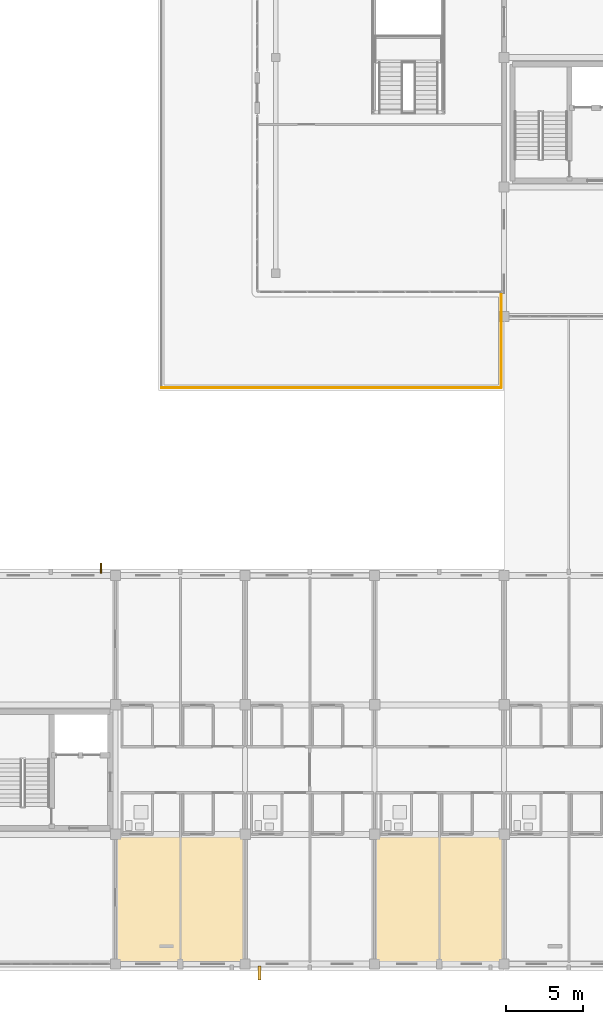
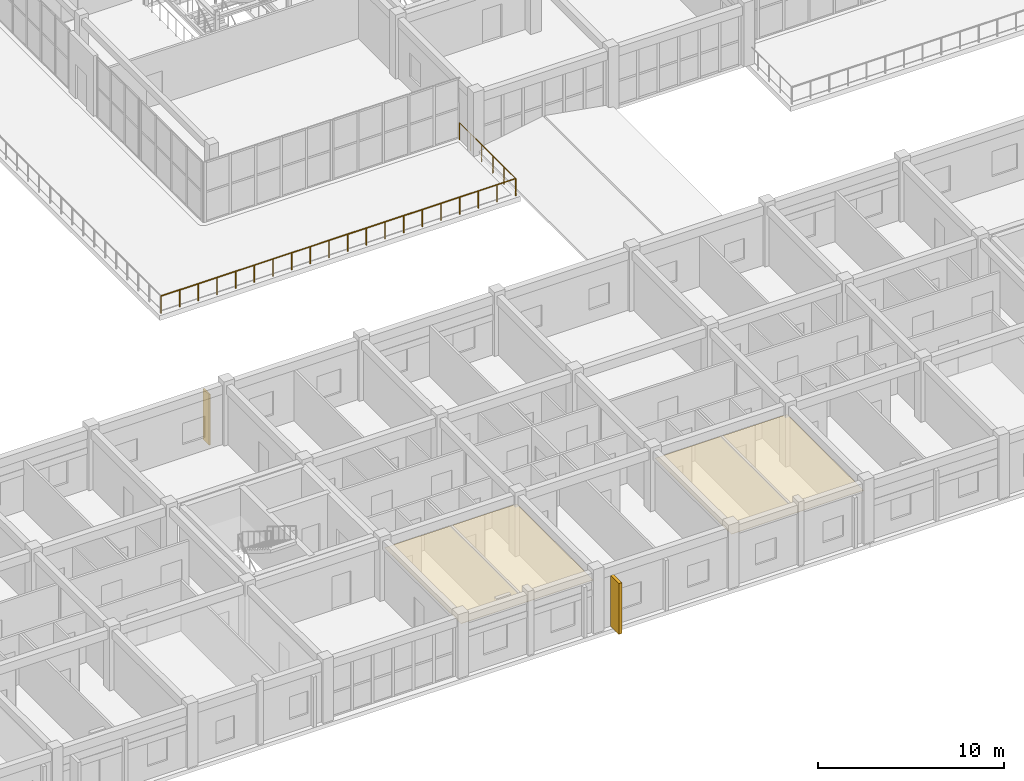
# One storey, part 79 of 90: 2 coverings, 2 railings, 2 shading devices.
"""IFC4 building model written with IfcOpenShell, lengths in metres."""

from ifc_helpers import new_model, si_unit, direction, frame, origin, origin_2d, place, context, subcontext, project, spatial, polyline, rectangle, circle, outline, extrude, material, layer, layer_set, type_object, element, save


model = new_model("IFC4")

# Units and contexts
model_context = context("Model", 3, precision=1e-05, world=origin(), true_north=direction((0.0, 1.0)))
body_context = subcontext(model_context, "Body", "Model", "MODEL_VIEW")
ifc_project = project(units=[si_unit("LENGTHUNIT", "METRE"), si_unit("AREAUNIT", "SQUARE_METRE"), si_unit("VOLUMEUNIT", "CUBIC_METRE"), si_unit("PLANEANGLEUNIT", "RADIAN"), si_unit("MASSUNIT", "GRAM", prefix="KILO")], contexts=[model_context])

# Site, building, storey
site_placement = place(None, origin())
site = spatial("IfcSite", under=ifc_project, at=site_placement, CompositionType="ELEMENT")
building_placement = place(site_placement, origin())
building = spatial("IfcBuilding", under=site, at=building_placement, Name="Trelvath General Hospital", CompositionType="ELEMENT")
storey_placement = place(building_placement, frame((0.0, 0.0, 20.39990234375)))
storey = spatial("IfcBuildingStorey", under=building, at=storey_placement, Name="L05", CompositionType="ELEMENT", Elevation=20.39990234375)

# Shading device
ifc_material_1 = material(Name="Precast concrete C40/50", Category="concrete")
shading_device_type_1 = type_object("IfcShadingDeviceType", Name="BriseSoleil PrecastFin900", PredefinedType="JALOUSIE", material=ifc_material_1)
shading_device_1_placement = place(storey_placement, frame((59.74072265625, -0.590087890625, 0.0), z_axis=(0.0, 0.0, 1.0), x_axis=(0.0, -1.0, 0.0)))
element("IfcShadingDevice", 1, at=shading_device_1_placement, inside=storey, type_object=shading_device_type_1, Name="Solar Brise-Soleil Screen L05-84", PredefinedType="JALOUSIE", context=body_context, shape_type="SweptSolid", body=[
    extrude(rectangle(XDim=0.89990234375, YDim=0.179931640625, at=origin_2d()), origin(), (0.0, 0.0, 1.0), 3.340087890625),
])

# Coverings
ifc_material_2 = material(Name="Hygienic acoustic ceiling tile")
ifc_layer = layer(ifc_material_2, 0.02490234375)
ifc_layer_set = layer_set([ifc_layer], Name="Hygienic acoustic ceiling tile")
covering_type = type_object("IfcCoveringType", Name="Ceiling ClinicalAcoustic", PredefinedType="CEILING", material=ifc_layer_set)
covering_1_placement = place(storey_placement, frame((0.0, 0.0, 3.2001953125)))
element("IfcCovering", 2, at=covering_1_placement, inside=storey, type_object=covering_type, Name="Clinical Acoustic Ceiling L05-62", PredefinedType="CEILING", context=body_context, shape_type="SweptSolid", body=[
    extrude(outline(polyline([(50.5, 0.10009765625), (58.699951171875, 0.10009765625), (58.699951171875, 8.320068359375), (50.5, 8.320068359375), (50.5, 0.10009765625)])), origin(), (0.0, 0.0, 1.0), 0.02490234375),
])
covering_2_placement = place(storey_placement, frame((0.0, 0.0, 3.2001953125)))
element("IfcCovering", 3, at=covering_2_placement, inside=storey, type_object=covering_type, Name="Clinical Acoustic Ceiling L05-63", PredefinedType="CEILING", context=body_context, shape_type="SweptSolid", body=[
    extrude(outline(polyline([(67.300048828125, 0.10009765625), (75.5, 0.10009765625), (75.5, 8.320068359375), (67.300048828125, 8.320068359375), (67.300048828125, 0.10009765625)])), origin(), (0.0, 0.0, 1.0), 0.02490234375),
])

# Railings
ifc_material_3 = material(Name="Architectural painted steel", Category="steel")
railing_type = type_object("IfcRailingType", Name="Guardrail Terrace1150", PredefinedType="GUARDRAIL", material=ifc_material_3)
railing_1_placement = place(storey_placement, frame((53.3798828125, 37.3798828125, 0.0)))
element("IfcRailing", 4, at=railing_1_placement, inside=storey, type_object=railing_type, Name="Cube Terrace Guardrail TERR-CW-U5 1 29", PredefinedType="GUARDRAIL", context=body_context, shape_type="SweptSolid", body=[
    extrude(circle(Radius=0.02392578125, at=origin_2d()), frame((0.0, 0.0, 1.1259765625), z_axis=(1.0, 0.0, 0.0), x_axis=(0.0, 1.0, 0.0)), (0.0, 0.0, 1.0), 22.0400390625),
    extrude(circle(Radius=0.02099609375, at=origin_2d()), origin(), (0.0, 0.0, 1.0), 1.099853515625),
    extrude(circle(Radius=0.02099609375, at=origin_2d()), frame((1.159912109375, 0.0, 0.0)), (0.0, 0.0, 1.0), 1.099853515625),
    extrude(circle(Radius=0.02099609375, at=origin_2d()), frame((2.320068359375, 0.0, 0.0)), (0.0, 0.0, 1.0), 1.099853515625),
    extrude(circle(Radius=0.02099609375, at=origin_2d()), frame((3.47998046875, 0.0, 0.0)), (0.0, 0.0, 1.0), 1.099853515625),
    extrude(circle(Radius=0.02099609375, at=origin_2d()), frame((4.639892578125, 0.0, 0.0)), (0.0, 0.0, 1.0), 1.099853515625),
    extrude(circle(Radius=0.02099609375, at=origin_2d()), frame((5.800048828125, 0.0, 0.0)), (0.0, 0.0, 1.0), 1.099853515625),
    extrude(circle(Radius=0.02099609375, at=origin_2d()), frame((6.9599609375, 0.0, 0.0)), (0.0, 0.0, 1.0), 1.099853515625),
    extrude(circle(Radius=0.02099609375, at=origin_2d()), frame((8.1201171875, 0.0, 0.0)), (0.0, 0.0, 1.0), 1.099853515625),
    extrude(circle(Radius=0.02099609375, at=origin_2d()), frame((9.280029296875, 0.0, 0.0)), (0.0, 0.0, 1.0), 1.099853515625),
    extrude(circle(Radius=0.02099609375, at=origin_2d()), frame((10.43994140625, 0.0, 0.0)), (0.0, 0.0, 1.0), 1.099853515625),
    extrude(circle(Radius=0.02099609375, at=origin_2d()), frame((11.60009765625, 0.0, 0.0)), (0.0, 0.0, 1.0), 1.099853515625),
    extrude(circle(Radius=0.02099609375, at=origin_2d()), frame((12.760009765625, 0.0, 0.0)), (0.0, 0.0, 1.0), 1.099853515625),
    extrude(circle(Radius=0.02099609375, at=origin_2d()), frame((13.919921875, 0.0, 0.0)), (0.0, 0.0, 1.0), 1.099853515625),
    extrude(circle(Radius=0.02099609375, at=origin_2d()), frame((15.080078125, 0.0, 0.0)), (0.0, 0.0, 1.0), 1.099853515625),
    extrude(circle(Radius=0.02099609375, at=origin_2d()), frame((16.239990234375, 0.0, 0.0)), (0.0, 0.0, 1.0), 1.099853515625),
    extrude(circle(Radius=0.02099609375, at=origin_2d()), frame((17.400146484375, 0.0, 0.0)), (0.0, 0.0, 1.0), 1.099853515625),
    extrude(circle(Radius=0.02099609375, at=origin_2d()), frame((18.56005859375, 0.0, 0.0)), (0.0, 0.0, 1.0), 1.099853515625),
    extrude(circle(Radius=0.02099609375, at=origin_2d()), frame((19.719970703125, 0.0, 0.0)), (0.0, 0.0, 1.0), 1.099853515625),
    extrude(circle(Radius=0.02099609375, at=origin_2d()), frame((20.880126953125, 0.0, 0.0)), (0.0, 0.0, 1.0), 1.099853515625),
    extrude(circle(Radius=0.02099609375, at=origin_2d()), frame((22.0400390625, 0.0, 0.0)), (0.0, 0.0, 1.0), 1.099853515625),
])
railing_2_placement = place(storey_placement, frame((75.419921875, 37.43994140625, 0.0)))
element("IfcRailing", 5, at=railing_2_placement, inside=storey, type_object=railing_type, Name="Cube Terrace Guardrail TERR-CW-U5 4 32", PredefinedType="GUARDRAIL", context=body_context, shape_type="SweptSolid", body=[
    extrude(circle(Radius=0.02392578125, at=origin_2d()), frame((0.0, 0.0, 1.1259765625), z_axis=(0.0, 1.0, 0.0), x_axis=(-1.0, 0.0, 0.0)), (0.0, 0.0, 1.0), 5.97998046875),
    extrude(circle(Radius=0.02099609375, at=origin_2d()), origin(), (0.0, 0.0, 1.0), 1.099853515625),
    extrude(circle(Radius=0.02099609375, at=origin_2d()), frame((0.0, 1.196044921875, 0.0)), (0.0, 0.0, 1.0), 1.099853515625),
    extrude(circle(Radius=0.02099609375, at=origin_2d()), frame((0.0, 2.39208984375, 0.0)), (0.0, 0.0, 1.0), 1.099853515625),
    extrude(circle(Radius=0.02099609375, at=origin_2d()), frame((0.0, 3.587890625, 0.0)), (0.0, 0.0, 1.0), 1.099853515625),
    extrude(circle(Radius=0.02099609375, at=origin_2d()), frame((0.0, 4.783935546875, 0.0)), (0.0, 0.0, 1.0), 1.099853515625),
    extrude(circle(Radius=0.02099609375, at=origin_2d()), frame((0.0, 5.97998046875, 0.0)), (0.0, 0.0, 1.0), 1.099853515625),
])

# Shading device
ifc_material_4 = material(Name="Anodised aluminium", Category="aluminium")
shading_device_type_2 = type_object("IfcShadingDeviceType", Name="SolarScreen PerforatedAlu", PredefinedType="JALOUSIE", material=ifc_material_4)
shading_device_2_placement = place(storey_placement, frame((49.459228515625, 25.6650390625, 0.0), z_axis=(0.0, 0.0, 1.0), x_axis=(0.0, 1.0, 0.0)))
element("IfcShadingDevice", 6, at=shading_device_2_placement, inside=storey, type_object=shading_device_type_2, Name="Solar Brise-Soleil Screen L05-83", PredefinedType="JALOUSIE", context=body_context, shape_type="SweptSolid", body=[
    extrude(rectangle(XDim=0.64990234375, YDim=0.080078125, at=origin_2d()), origin(), (0.0, 0.0, 1.0), 3.340087890625),
])

save(model, "model.ifc")
